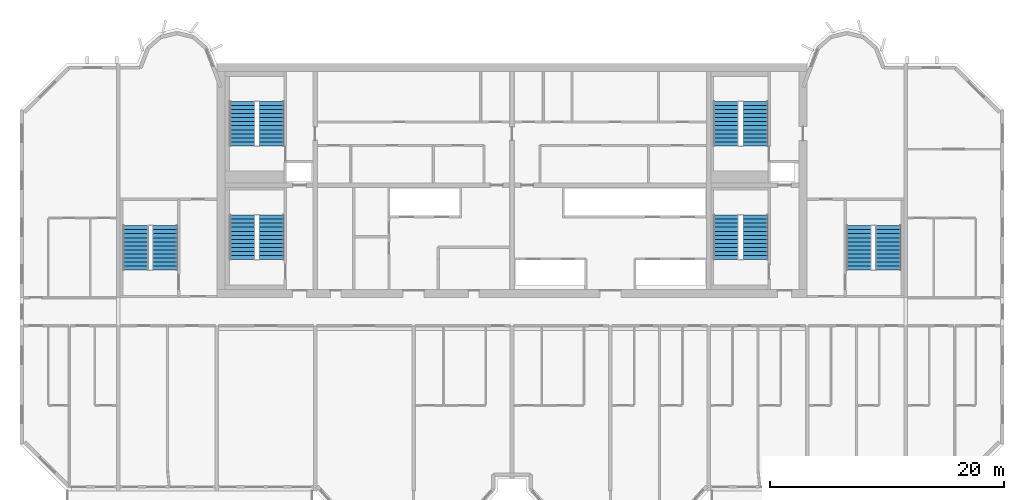
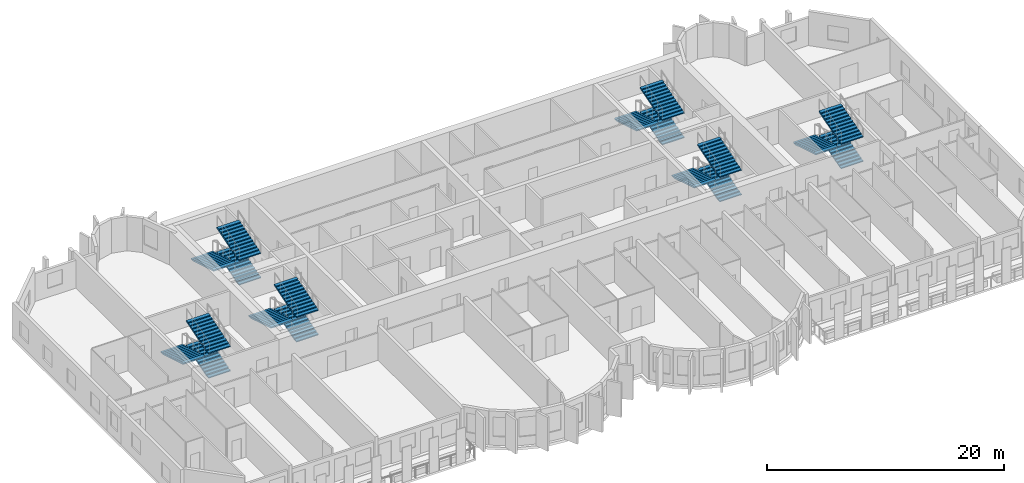
# One storey, part 10 of 13: 18 stair flights, 6 elements without a shape of their own.
"""IFC4 building model written with IfcOpenShell, lengths in metres."""

from ifc_helpers import new_model, si_unit, direction, frame, origin, place, context, subcontext, project, spatial, polyline, outline, extrude, source, transform, mapped, material, type_object, element, aggregate, save


model = new_model("IFC4")

# Units and contexts
model_context = context("Model", 3, precision=1e-05, world=origin(), true_north=direction((0.0, 1.0)))
body_context = subcontext(model_context, "Body", "Model", "MODEL_VIEW")
ifc_project = project(units=[si_unit("LENGTHUNIT", "METRE"), si_unit("AREAUNIT", "SQUARE_METRE"), si_unit("VOLUMEUNIT", "CUBIC_METRE"), si_unit("PLANEANGLEUNIT", "RADIAN"), si_unit("MASSUNIT", "GRAM", prefix="KILO")], contexts=[model_context])

# Site, building, storey
site_placement = place(None, origin())
site = spatial("IfcSite", under=ifc_project, at=site_placement, CompositionType="ELEMENT")
building_placement = place(site_placement, origin())
building = spatial("IfcBuilding", under=site, at=building_placement, Name="Vanashikhar Sky Hotel", CompositionType="ELEMENT")
storey_placement = place(building_placement, frame((0.0, 0.0, 193.39990234375)))
storey = spatial("IfcBuildingStorey", under=building, at=storey_placement, Name="L47", CompositionType="ELEMENT", Elevation=193.39990234375)

# Stair, stair flights
ifc_material = material(Name="Concrete M40", Category="concrete")
stair_type = type_object("IfcStairType", Name="Exit stair 2150", PredefinedType="DOUBLE_RETURN_STAIR", material=ifc_material)
stair_1_placement = place(storey_placement, origin())
stair_1 = element("IfcStair", 1, at=stair_1_placement, inside=storey, type_object=stair_type, Name="L47 Exit stair 1", PredefinedType="DOUBLE_RETURN_STAIR")
stair_flight_type = type_object("IfcStairFlightType", Name="Stair flight 2150", PredefinedType="STRAIGHT", material=ifc_material)
shared_shape = source(origin(), body_context, "Body", "SweptSolid", [
    extrude(outline(polyline([(0.0, 0.0), (0.0, 0.10546875), (0.345458984375, 0.10546875), (0.345458984375, 0.211181640625), (0.69091796875, 0.211181640625), (0.69091796875, 0.316650390625), (1.036376953125, 0.316650390625), (1.036376953125, 0.422119140625), (1.3818359375, 0.422119140625), (1.3818359375, 0.52783203125), (1.727294921875, 0.52783203125), (1.727294921875, 0.63330078125), (2.07275390625, 0.63330078125), (2.07275390625, 0.73876953125), (2.418212890625, 0.73876953125), (2.418212890625, 0.844482421875), (2.763671875, 0.844482421875), (2.763671875, 0.949951171875), (3.109130859375, 0.949951171875), (3.109130859375, 1.0556640625), (3.45458984375, 1.0556640625), (3.45458984375, 1.1611328125), (3.800048828125, 1.1611328125), (3.800048828125, 1.2666015625), (3.800048828125, 1.035400390625), (0.4111328125, 0.0), (0.0, 0.0)])), frame((0.0, 1.074951171875, 0.0), z_axis=(0.0, -1.0, 0.0), x_axis=(1.0, 0.0, 0.0)), (0.0, 0.0, 1.0), 2.14990234375),
])
stair_flight_1_placement = place(storey_placement, frame((29.875, 25.25, 0.0), z_axis=(0.0, 0.0, 1.0), x_axis=(0.0, 1.0, 0.0)))
stair_flight_1 = element("IfcStairFlight", 2, at=stair_flight_1_placement, type_object=stair_flight_type, Name="ST-C1 flight 1", NumberOfRisers=12, NumberOfTreads=11, PredefinedType="STRAIGHT", RiserHeight=0.105555556, TreadLength=0.345454545, context=body_context, shape_type="MappedRepresentation", body=[
    mapped(shared_shape, transform((0.0, 0.0, 0.0), scale=1.0)),
])
stair_flight_2_placement = place(storey_placement, frame((27.375, 29.050048828125, 1.266845703125), z_axis=(0.0, 0.0, 1.0), x_axis=(0.0, -1.0, 0.0)))
stair_flight_2 = element("IfcStairFlight", 3, at=stair_flight_2_placement, type_object=stair_flight_type, Name="ST-C1 flight 2", NumberOfRisers=12, NumberOfTreads=11, PredefinedType="STRAIGHT", RiserHeight=0.105555556, TreadLength=0.345454545, context=body_context, shape_type="MappedRepresentation", body=[
    mapped(shared_shape, transform((0.0, 0.0, 0.0), scale=1.0)),
])
stair_flight_3_placement = place(storey_placement, frame((29.875, 25.25, 2.533447265625), z_axis=(0.0, 0.0, 1.0), x_axis=(0.0, 1.0, 0.0)))
stair_flight_3 = element("IfcStairFlight", 4, at=stair_flight_3_placement, type_object=stair_flight_type, Name="ST-C1 flight 3", NumberOfRisers=12, NumberOfTreads=11, PredefinedType="STRAIGHT", RiserHeight=0.105555556, TreadLength=0.345454545, context=body_context, shape_type="MappedRepresentation", body=[
    mapped(shared_shape, transform((0.0, 0.0, 0.0), scale=1.0)),
])
aggregate(stair_1, [stair_flight_1, stair_flight_2, stair_flight_3])

stair_2_placement = place(storey_placement, origin())
stair_2 = element("IfcStair", 5, at=stair_2_placement, inside=storey, type_object=stair_type, Name="L47 Exit stair 2", PredefinedType="DOUBLE_RETURN_STAIR")
stair_flight_4_placement = place(storey_placement, frame((71.175048828125, 25.25, 0.0), z_axis=(0.0, 0.0, 1.0), x_axis=(0.0, 1.0, 0.0)))
stair_flight_4 = element("IfcStairFlight", 6, at=stair_flight_4_placement, type_object=stair_flight_type, Name="ST-C2 flight 1", NumberOfRisers=12, NumberOfTreads=11, PredefinedType="STRAIGHT", RiserHeight=0.105555556, TreadLength=0.345454545, context=body_context, shape_type="MappedRepresentation", body=[
    mapped(shared_shape, transform((0.0, 0.0, 0.0), scale=1.0)),
])
stair_flight_5_placement = place(storey_placement, frame((68.675048828125, 29.050048828125, 1.266845703125), z_axis=(0.0, 0.0, 1.0), x_axis=(0.0, -1.0, 0.0)))
stair_flight_5 = element("IfcStairFlight", 7, at=stair_flight_5_placement, type_object=stair_flight_type, Name="ST-C2 flight 2", NumberOfRisers=12, NumberOfTreads=11, PredefinedType="STRAIGHT", RiserHeight=0.105555556, TreadLength=0.345454545, context=body_context, shape_type="MappedRepresentation", body=[
    mapped(shared_shape, transform((0.0, 0.0, 0.0), scale=1.0)),
])
stair_flight_6_placement = place(storey_placement, frame((71.175048828125, 25.25, 2.533447265625), z_axis=(0.0, 0.0, 1.0), x_axis=(0.0, 1.0, 0.0)))
stair_flight_6 = element("IfcStairFlight", 8, at=stair_flight_6_placement, type_object=stair_flight_type, Name="ST-C2 flight 3", NumberOfRisers=12, NumberOfTreads=11, PredefinedType="STRAIGHT", RiserHeight=0.105555556, TreadLength=0.345454545, context=body_context, shape_type="MappedRepresentation", body=[
    mapped(shared_shape, transform((0.0, 0.0, 0.0), scale=1.0)),
])
aggregate(stair_2, [stair_flight_4, stair_flight_5, stair_flight_6])

stair_3_placement = place(storey_placement, origin())
stair_3 = element("IfcStair", 9, at=stair_3_placement, inside=storey, type_object=stair_type, Name="L47 Exit stair 3", PredefinedType="DOUBLE_RETURN_STAIR")
stair_flight_7_placement = place(storey_placement, frame((20.77490234375, 24.35009765625, 0.0), z_axis=(0.0, 0.0, 1.0), x_axis=(0.0, 1.0, 0.0)))
stair_flight_7 = element("IfcStairFlight", 10, at=stair_flight_7_placement, type_object=stair_flight_type, Name="ST-W flight 1", NumberOfRisers=12, NumberOfTreads=11, PredefinedType="STRAIGHT", RiserHeight=0.105555556, TreadLength=0.345454545, context=body_context, shape_type="MappedRepresentation", body=[
    mapped(shared_shape, transform((0.0, 0.0, 0.0), scale=1.0)),
])
stair_flight_8_placement = place(storey_placement, frame((18.27490234375, 28.14990234375, 1.266845703125), z_axis=(0.0, 0.0, 1.0), x_axis=(0.0, -1.0, 0.0)))
stair_flight_8 = element("IfcStairFlight", 11, at=stair_flight_8_placement, type_object=stair_flight_type, Name="ST-W flight 2", NumberOfRisers=12, NumberOfTreads=11, PredefinedType="STRAIGHT", RiserHeight=0.105555556, TreadLength=0.345454545, context=body_context, shape_type="MappedRepresentation", body=[
    mapped(shared_shape, transform((0.0, 0.0, 0.0), scale=1.0)),
])
stair_flight_9_placement = place(storey_placement, frame((20.77490234375, 24.35009765625, 2.533447265625), z_axis=(0.0, 0.0, 1.0), x_axis=(0.0, 1.0, 0.0)))
stair_flight_9 = element("IfcStairFlight", 12, at=stair_flight_9_placement, type_object=stair_flight_type, Name="ST-W flight 3", NumberOfRisers=12, NumberOfTreads=11, PredefinedType="STRAIGHT", RiserHeight=0.105555556, TreadLength=0.345454545, context=body_context, shape_type="MappedRepresentation", body=[
    mapped(shared_shape, transform((0.0, 0.0, 0.0), scale=1.0)),
])
aggregate(stair_3, [stair_flight_7, stair_flight_8, stair_flight_9])

stair_4_placement = place(storey_placement, origin())
stair_4 = element("IfcStair", 13, at=stair_4_placement, inside=storey, type_object=stair_type, Name="L47 Exit stair 4", PredefinedType="DOUBLE_RETURN_STAIR")
stair_flight_10_placement = place(storey_placement, frame((82.52490234375, 24.35009765625, 0.0), z_axis=(0.0, 0.0, 1.0), x_axis=(0.0, 1.0, 0.0)))
stair_flight_10 = element("IfcStairFlight", 14, at=stair_flight_10_placement, type_object=stair_flight_type, Name="ST-E flight 1", NumberOfRisers=12, NumberOfTreads=11, PredefinedType="STRAIGHT", RiserHeight=0.105555556, TreadLength=0.345454545, context=body_context, shape_type="MappedRepresentation", body=[
    mapped(shared_shape, transform((0.0, 0.0, 0.0), scale=1.0)),
])
stair_flight_11_placement = place(storey_placement, frame((80.02490234375, 28.14990234375, 1.266845703125), z_axis=(0.0, 0.0, 1.0), x_axis=(0.0, -1.0, 0.0)))
stair_flight_11 = element("IfcStairFlight", 15, at=stair_flight_11_placement, type_object=stair_flight_type, Name="ST-E flight 2", NumberOfRisers=12, NumberOfTreads=11, PredefinedType="STRAIGHT", RiserHeight=0.105555556, TreadLength=0.345454545, context=body_context, shape_type="MappedRepresentation", body=[
    mapped(shared_shape, transform((0.0, 0.0, 0.0), scale=1.0)),
])
stair_flight_12_placement = place(storey_placement, frame((82.52490234375, 24.35009765625, 2.533447265625), z_axis=(0.0, 0.0, 1.0), x_axis=(0.0, 1.0, 0.0)))
stair_flight_12 = element("IfcStairFlight", 16, at=stair_flight_12_placement, type_object=stair_flight_type, Name="ST-E flight 3", NumberOfRisers=12, NumberOfTreads=11, PredefinedType="STRAIGHT", RiserHeight=0.105555556, TreadLength=0.345454545, context=body_context, shape_type="MappedRepresentation", body=[
    mapped(shared_shape, transform((0.0, 0.0, 0.0), scale=1.0)),
])
aggregate(stair_4, [stair_flight_10, stair_flight_11, stair_flight_12])

stair_5_placement = place(storey_placement, origin())
stair_5 = element("IfcStair", 17, at=stair_5_placement, inside=storey, type_object=stair_type, Name="L47 Exit stair 5", PredefinedType="DOUBLE_RETURN_STAIR")
stair_flight_13_placement = place(storey_placement, frame((29.875, 34.949951171875, 0.0), z_axis=(0.0, 0.0, 1.0), x_axis=(0.0, 1.0, 0.0)))
stair_flight_13 = element("IfcStairFlight", 18, at=stair_flight_13_placement, type_object=stair_flight_type, Name="ST-C3 flight 1", NumberOfRisers=12, NumberOfTreads=11, PredefinedType="STRAIGHT", RiserHeight=0.105555556, TreadLength=0.345454545, context=body_context, shape_type="MappedRepresentation", body=[
    mapped(shared_shape, transform((0.0, 0.0, 0.0), scale=1.0)),
])
stair_flight_14_placement = place(storey_placement, frame((27.375, 38.75, 1.266845703125), z_axis=(0.0, 0.0, 1.0), x_axis=(0.0, -1.0, 0.0)))
stair_flight_14 = element("IfcStairFlight", 19, at=stair_flight_14_placement, type_object=stair_flight_type, Name="ST-C3 flight 2", NumberOfRisers=12, NumberOfTreads=11, PredefinedType="STRAIGHT", RiserHeight=0.105555556, TreadLength=0.345454545, context=body_context, shape_type="MappedRepresentation", body=[
    mapped(shared_shape, transform((0.0, 0.0, 0.0), scale=1.0)),
])
stair_flight_15_placement = place(storey_placement, frame((29.875, 34.949951171875, 2.533447265625), z_axis=(0.0, 0.0, 1.0), x_axis=(0.0, 1.0, 0.0)))
stair_flight_15 = element("IfcStairFlight", 20, at=stair_flight_15_placement, type_object=stair_flight_type, Name="ST-C3 flight 3", NumberOfRisers=12, NumberOfTreads=11, PredefinedType="STRAIGHT", RiserHeight=0.105555556, TreadLength=0.345454545, context=body_context, shape_type="MappedRepresentation", body=[
    mapped(shared_shape, transform((0.0, 0.0, 0.0), scale=1.0)),
])
aggregate(stair_5, [stair_flight_13, stair_flight_14, stair_flight_15])

stair_6_placement = place(storey_placement, origin())
stair_6 = element("IfcStair", 21, at=stair_6_placement, inside=storey, type_object=stair_type, Name="L47 Exit stair 6", PredefinedType="DOUBLE_RETURN_STAIR")
stair_flight_16_placement = place(storey_placement, frame((71.175048828125, 34.949951171875, 0.0), z_axis=(0.0, 0.0, 1.0), x_axis=(0.0, 1.0, 0.0)))
stair_flight_16 = element("IfcStairFlight", 22, at=stair_flight_16_placement, type_object=stair_flight_type, Name="ST-C4 flight 1", NumberOfRisers=12, NumberOfTreads=11, PredefinedType="STRAIGHT", RiserHeight=0.105555556, TreadLength=0.345454545, context=body_context, shape_type="MappedRepresentation", body=[
    mapped(shared_shape, transform((0.0, 0.0, 0.0), scale=1.0)),
])
stair_flight_17_placement = place(storey_placement, frame((68.675048828125, 38.75, 1.266845703125), z_axis=(0.0, 0.0, 1.0), x_axis=(0.0, -1.0, 0.0)))
stair_flight_17 = element("IfcStairFlight", 23, at=stair_flight_17_placement, type_object=stair_flight_type, Name="ST-C4 flight 2", NumberOfRisers=12, NumberOfTreads=11, PredefinedType="STRAIGHT", RiserHeight=0.105555556, TreadLength=0.345454545, context=body_context, shape_type="MappedRepresentation", body=[
    mapped(shared_shape, transform((0.0, 0.0, 0.0), scale=1.0)),
])
stair_flight_18_placement = place(storey_placement, frame((71.175048828125, 34.949951171875, 2.533447265625), z_axis=(0.0, 0.0, 1.0), x_axis=(0.0, 1.0, 0.0)))
stair_flight_18 = element("IfcStairFlight", 24, at=stair_flight_18_placement, type_object=stair_flight_type, Name="ST-C4 flight 3", NumberOfRisers=12, NumberOfTreads=11, PredefinedType="STRAIGHT", RiserHeight=0.105555556, TreadLength=0.345454545, context=body_context, shape_type="MappedRepresentation", body=[
    mapped(shared_shape, transform((0.0, 0.0, 0.0), scale=1.0)),
])
aggregate(stair_6, [stair_flight_16, stair_flight_17, stair_flight_18])

save(model, "model.ifc")
